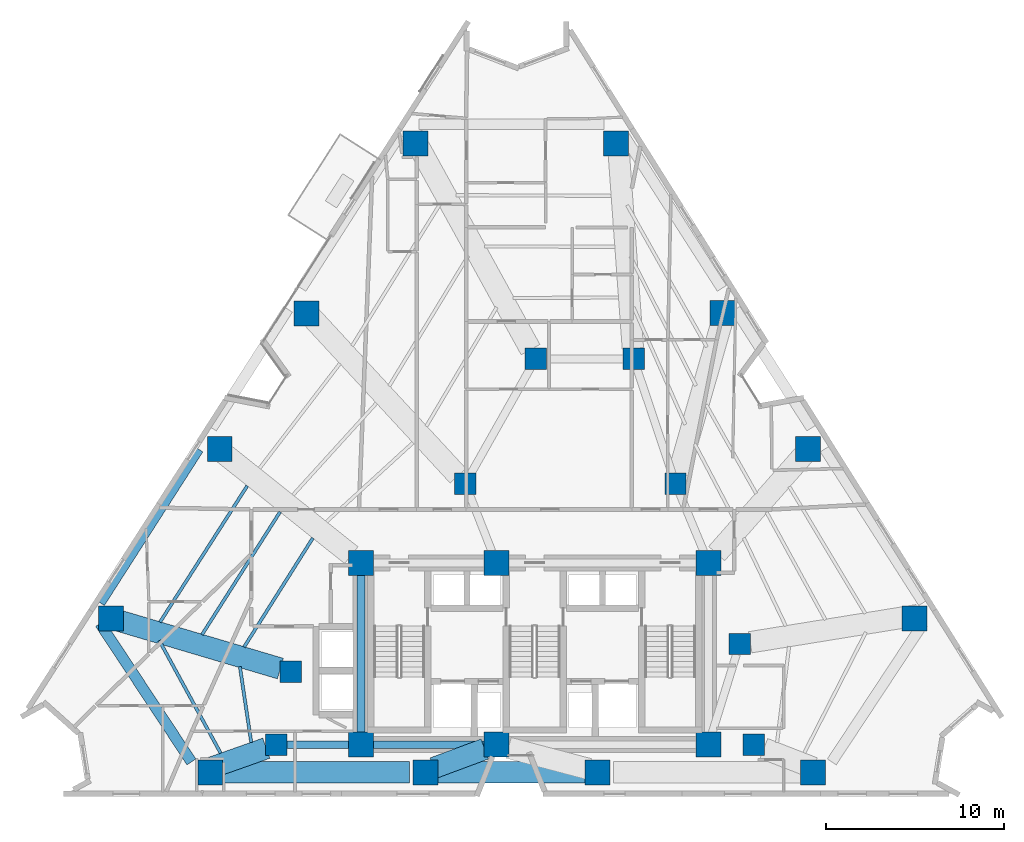
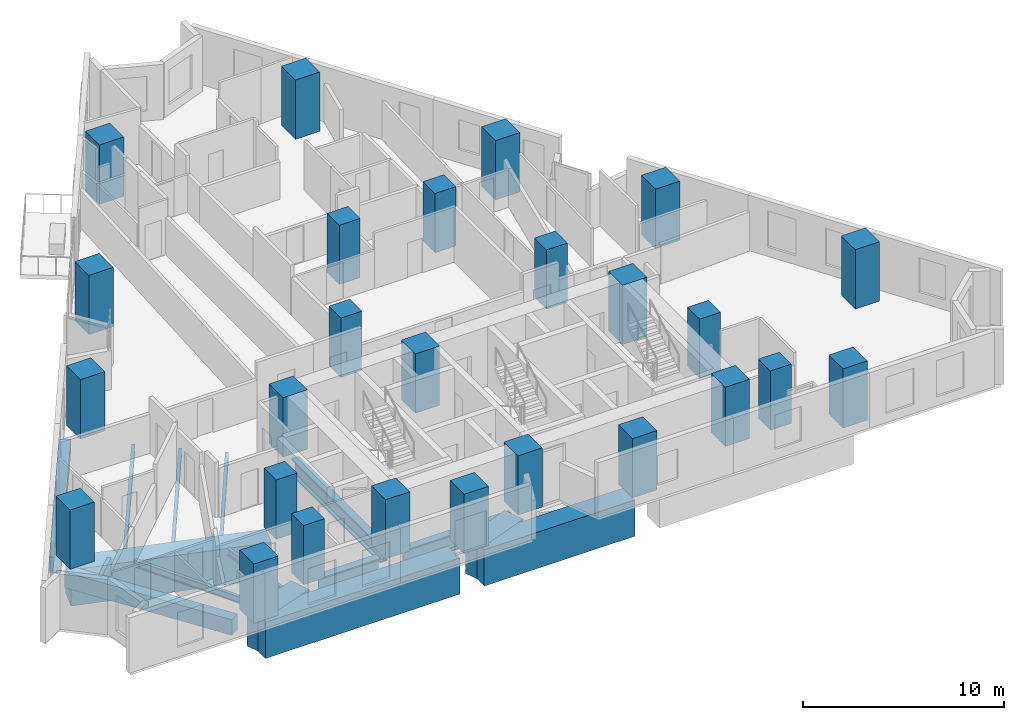
# One storey, part 1 of 13: 26 columns, 15 beams.
"""IFC4 building model written with IfcOpenShell, lengths in metres."""

from ifc_helpers import new_model, si_unit, direction, frame, origin, origin_2d, place, context, subcontext, project, spatial, rectangle, i_section, extrude, material, material_profile, profile_set, type_object, element, save


model = new_model("IFC4")

# Units and contexts
model_context = context("Model", 3, precision=1e-05, world=origin(), true_north=direction((0.0, 1.0)))
body_context = subcontext(model_context, "Body", "Model", "MODEL_VIEW")
ifc_project = project(units=[si_unit("LENGTHUNIT", "METRE"), si_unit("AREAUNIT", "SQUARE_METRE"), si_unit("VOLUMEUNIT", "CUBIC_METRE"), si_unit("PLANEANGLEUNIT", "RADIAN"), si_unit("MASSUNIT", "GRAM", prefix="KILO")], contexts=[model_context])

# Site, building, storey
site_placement = place(None, origin())
site = spatial("IfcSite", under=ifc_project, at=site_placement, CompositionType="ELEMENT")
building_placement = place(site_placement, origin())
building = spatial("IfcBuilding", under=site, at=building_placement, Name="Almagre Mirador Tower", CompositionType="ELEMENT")
storey_placement = place(building_placement, frame((0.0, 0.0, 53.39990234375)))
storey = spatial("IfcBuildingStorey", under=building, at=storey_placement, Name="L12", CompositionType="ELEMENT", Elevation=53.39990234375)

# Columns
ifc_material_1 = material(Name="Concrete C60/75", Category="concrete")
ifc_material_profile_1 = material_profile(ifc_material_1, rectangle(XDim=1.199951171875, YDim=1.199951171875, at=origin_2d()), Name="RC1200X1200")
ifc_profile_set_1 = profile_set([ifc_material_profile_1], Name="Concrete C60/75")
column_type_1 = type_object("IfcColumnType", Name="COL-RC1200", PredefinedType="COLUMN", material=ifc_profile_set_1)
for number, where, z_axis, x_axis, name in (
    (1, (22.800048828125, 4.550048828125, 0.0), (0.0, 0.0, 1.0), (1.0, 0.0, 0.0), "L12 interior transfer column MC1"),
    (2, (49.60009765625, 4.550048828125, 0.0), (0.0, 0.0, 1.0), (1.0, 0.0, 0.0), "L12 interior transfer column MC2"),
    (3, (48.800048828125, 10.199951171875, 0.0), (0.0, 0.0, 1.0), (1.0, 0.0, 0.0), "L12 interior transfer column MC3"),
    (4, (45.199951171875, 19.199951171875, 0.0), (0.0, 0.0, 1.0), (1.0, 0.0, 0.0), "L12 interior transfer column MC5"),
    (5, (42.85009765625, 26.199951171875, 0.0), (0.0, 0.0, 1.0), (1.0, 0.0, 0.0), "L12 interior transfer column MC6"),
    (6, (37.35009765625, 26.199951171875, 0.0), (0.0, 0.0, 1.0), (1.0, 0.0, 0.0), "L12 interior transfer column MC7"),
    (7, (33.39990234375, 19.199951171875, 0.0), (0.0, 0.0, 1.0), (1.0, 0.0, 0.0), "L12 interior transfer column MC8"),
    (8, (23.60009765625, 8.64990234375, 0.0), (0.0, 0.0, 1.0), (1.0, 0.0, 0.0), "L12 interior transfer column MC10"),
):
    element("IfcColumn", number, at=place(storey_placement, frame(where, z_axis=z_axis, x_axis=x_axis)), inside=storey, type_object=column_type_1, Name=name, PredefinedType="COLUMN", context=body_context, shape_type="SweptSolid", body=[
        extrude(rectangle(XDim=1.199951171875, YDim=1.199951171875, at=origin_2d()), origin(), (0.0, 0.0, 1.0), 3.60009765625),
    ])
ifc_material_2 = material(Name="Concrete C60/75", Category="concrete")
ifc_material_profile_2 = material_profile(ifc_material_2, rectangle(XDim=1.39990234375, YDim=1.39990234375, at=origin_2d()), Name="RC1400X1400")
ifc_profile_set_2 = profile_set([ifc_material_profile_2], Name="Concrete C60/75")
column_type_2 = type_object("IfcColumnType", Name="COL-RC1400", PredefinedType="COLUMN", material=ifc_profile_set_2)
for number, where, z_axis, x_axis, name in (
    (9, (27.550048828125, 4.550048828125, 0.0), (0.0, 0.0, 1.0), (1.0, 0.0, 0.0), "L12 core spine column CC1"),
    (10, (35.14990234375, 4.550048828125, 0.0), (0.0, 0.0, 1.0), (1.0, 0.0, 0.0), "L12 core spine column CC2"),
    (11, (47.050048828125, 4.550048828125, 0.0), (0.0, 0.0, 1.0), (1.0, 0.0, 0.0), "L12 core spine column CC3"),
    (12, (27.550048828125, 14.75, 0.0), (0.0, 0.0, 1.0), (1.0, 0.0, 0.0), "L12 core spine column CC4"),
    (13, (35.14990234375, 14.75, 0.0), (0.0, 0.0, 1.0), (1.0, 0.0, 0.0), "L12 core spine column CC5"),
    (14, (47.050048828125, 14.75, 0.0), (0.0, 0.0, 1.0), (1.0, 0.0, 0.0), "L12 core spine column CC6"),
    (15, (19.087890625, 3.0, 0.0), (0.0, 0.0, 1.0), (1.0, 0.0, 0.0), "L12 perimeter column PC01"),
    (16, (31.16796875, 3.0, 0.0), (0.0, 0.0, 1.0), (1.0, 0.0, 0.0), "L12 perimeter column PC02"),
    (17, (40.83203125, 3.0, 0.0), (0.0, 0.0, 1.0), (1.0, 0.0, 0.0), "L12 perimeter column PC03"),
    (18, (52.912109375, 3.0, 0.0), (0.0, 0.0, 1.0), (1.0, 0.0, 0.0), "L12 perimeter column PC04"),
    (19, (58.60595703125, 11.634033203125, 0.0), (0.0, 0.0, 1.0), (1.0, 0.0, 0.0), "L12 perimeter column PC05"),
    (20, (52.6259765625, 21.154052734375, 0.0), (0.0, 0.0, 1.0), (1.0, 0.0, 0.0), "L12 perimeter column PC06"),
    (21, (47.842041015625, 28.77001953125, 0.0), (0.0, 0.0, 1.0), (1.0, 0.0, 0.0), "L12 perimeter column PC07"),
    (22, (41.862060546875, 38.2900390625, 0.0), (0.0, 0.0, 1.0), (1.0, 0.0, 0.0), "L12 perimeter column PC08"),
    (23, (30.60009765625, 38.281005859375, 0.0), (0.0, 0.0, 1.0), (1.0, 0.0, 0.0), "L12 perimeter column PC09"),
    (24, (24.5, 28.760986328125, 0.0), (0.0, 0.0, 1.0), (1.0, 0.0, 0.0), "L12 perimeter column PC10"),
    (25, (19.6201171875, 21.14501953125, 0.0), (0.0, 0.0, 1.0), (1.0, 0.0, 0.0), "L12 perimeter column PC11"),
    (26, (13.52001953125, 11.625, 0.0), (0.0, 0.0, 1.0), (1.0, 0.0, 0.0), "L12 perimeter column PC12"),
):
    element("IfcColumn", number, at=place(storey_placement, frame(where, z_axis=z_axis, x_axis=x_axis)), inside=storey, type_object=column_type_2, Name=name, PredefinedType="COLUMN", context=body_context, shape_type="SweptSolid", body=[
        extrude(rectangle(XDim=1.39990234375, YDim=1.39990234375, at=origin_2d()), origin(), (0.0, 0.0, 1.0), 3.60009765625),
    ])

# Beams
ifc_material_3 = material(Name="Steel ASTM A992 Grade 50", Category="steel")
ifc_material_profile_3 = material_profile(ifc_material_3, i_section(OverallWidth=0.178955078125, OverallDepth=0.408935546875, WebThickness=0.0087890625, FlangeThickness=0.014404296875, FilletRadius=0.013916015625, at=origin_2d()), Name="W16X45")
ifc_profile_set_3 = profile_set([ifc_material_profile_3], Name="Steel ASTM A992 Grade 50")
beam_type_1 = type_object("IfcBeamType", Name="BM-JST-W16X45", PredefinedType="JOIST", material=ifc_profile_set_3)
beam_1_placement = place(storey_placement, frame((21.166015625, 19.080322265625, -0.454345703125), z_axis=(-0.538983577549, -0.842316272627, 0.0), x_axis=(0.842316272627, -0.538983577549, 0.0)))
element("IfcBeam", 27, at=beam_1_placement, inside=storey, type_object=beam_type_1, Name="L12 secondary floor joist PC11-PC12.1", PredefinedType="JOIST", context=body_context, shape_type="SweptSolid", body=[
    extrude(i_section(OverallWidth=0.178955078125, OverallDepth=0.408935546875, WebThickness=0.0087890625, FlangeThickness=0.014404296875, FilletRadius=0.013916015625, at=origin_2d()), origin(), (0.0, 0.0, 1.0), 9.090087890625),
])
beam_2_placement = place(storey_placement, frame((23.005126953125, 17.613037109375, -0.454345703125), z_axis=(-0.536575467377, -0.84385233768, 0.0), x_axis=(0.84385233768, -0.536575467377, 0.0)))
element("IfcBeam", 28, at=beam_2_placement, inside=storey, type_object=beam_type_1, Name="L12 secondary floor joist PC11-PC12.2", PredefinedType="JOIST", context=body_context, shape_type="SweptSolid", body=[
    extrude(i_section(OverallWidth=0.178955078125, OverallDepth=0.408935546875, WebThickness=0.0087890625, FlangeThickness=0.014404296875, FilletRadius=0.013916015625, at=origin_2d()), origin(), (0.0, 0.0, 1.0), 8.162109375),
])
beam_3_placement = place(storey_placement, frame((24.8447265625, 16.1455078125, -0.454345703125), z_axis=(-0.533606950697, -0.845732594954, 0.0), x_axis=(0.845732594954, -0.533606950697, 0.0)))
element("IfcBeam", 29, at=beam_3_placement, inside=storey, type_object=beam_type_1, Name="L12 secondary floor joist PC11-PC12.3", PredefinedType="JOIST", context=body_context, shape_type="SweptSolid", body=[
    extrude(i_section(OverallWidth=0.178955078125, OverallDepth=0.408935546875, WebThickness=0.0087890625, FlangeThickness=0.014404296875, FilletRadius=0.013916015625, at=origin_2d()), origin(), (0.0, 0.0, 1.0), 7.234375),
])
beam_4_placement = place(storey_placement, frame((16.230224609375, 10.3916015625, -0.454345703125), z_axis=(0.478447973331, -0.878115901698, 0.0), x_axis=(0.878115901698, 0.478447973331, 0.0)))
element("IfcBeam", 30, at=beam_4_placement, inside=storey, type_object=beam_type_1, Name="L12 secondary floor joist PC12-PC01.1", PredefinedType="JOIST", context=body_context, shape_type="SweptSolid", body=[
    extrude(i_section(OverallWidth=0.178955078125, OverallDepth=0.408935546875, WebThickness=0.0087890625, FlangeThickness=0.014404296875, FilletRadius=0.013916015625, at=origin_2d()), origin(), (0.0, 0.0, 1.0), 7.19580078125),
])
beam_5_placement = place(storey_placement, frame((20.752685546875, 8.92626953125, -0.454345703125), z_axis=(0.147740469411, -0.989026164314, 0.0), x_axis=(0.989026164314, 0.147740469411, 0.0)))
element("IfcBeam", 31, at=beam_5_placement, inside=storey, type_object=beam_type_1, Name="L12 secondary floor joist PC12-PC01.3", PredefinedType="JOIST", context=body_context, shape_type="SweptSolid", body=[
    extrude(i_section(OverallWidth=0.178955078125, OverallDepth=0.408935546875, WebThickness=0.0087890625, FlangeThickness=0.014404296875, FilletRadius=0.013916015625, at=origin_2d()), origin(), (0.0, 0.0, 1.0), 4.298095703125),
])
ifc_material_4 = material(Name="Precast concrete C50/60", Category="concrete")
ifc_material_profile_4 = material_profile(ifc_material_4, rectangle(XDim=0.60009765625, YDim=0.949951171875, at=origin_2d()), Name="RC600X950")
ifc_profile_set_4 = profile_set([ifc_material_profile_4], Name="Precast concrete C50/60")
beam_type_2 = type_object("IfcBeamType", Name="BM-SPN-RC600X950", PredefinedType="SPANDREL", material=ifc_profile_set_4)
beam_6_placement = place(storey_placement, frame((18.42041015625, 21.1435546875, -0.724853515625), z_axis=(-0.539549548581, -0.841953849463, 0.0), x_axis=(0.841953849463, -0.539549548581, 0.0)))
element("IfcBeam", 32, at=beam_6_placement, inside=storey, type_object=beam_type_2, Name="L12 perimeter spandrel beam PC11-PC12", PredefinedType="SPANDREL", context=body_context, shape_type="SweptSolid", body=[
    extrude(rectangle(XDim=0.60009765625, YDim=0.949951171875, at=origin_2d()), origin(), (0.0, 0.0, 1.0), 10.239501953125),
])
beam_7_placement = place(storey_placement, frame((12.90380859375, 11.348876953125, -0.724853515625), z_axis=(0.550976725149, -0.834520609898, 0.0), x_axis=(0.834520609898, 0.550976725149, 0.0)))
element("IfcBeam", 33, at=beam_7_placement, inside=storey, type_object=beam_type_2, Name="L12 perimeter spandrel beam PC12-PC01", PredefinedType="SPANDREL", context=body_context, shape_type="SweptSolid", body=[
    extrude(rectangle(XDim=0.60009765625, YDim=0.949951171875, at=origin_2d()), origin(), (0.0, 0.0, 1.0), 9.304443359375),
])
ifc_material_5 = material(Name="Steel ASTM A992 Grade 50", Category="steel")
ifc_material_profile_5 = material_profile(ifc_material_5, i_section(OverallWidth=0.43701171875, OverallDepth=1.010986328125, WebThickness=0.041015625, FlangeThickness=0.073974609375, FilletRadius=0.028076171875, at=origin_2d()), Name="W36X529")
ifc_profile_set_5 = profile_set([ifc_material_profile_5], Name="Steel ASTM A992 Grade 50")
beam_type_3 = type_object("IfcBeamType", Name="BM-STL-W36X529", PredefinedType="BEAM", material=ifc_profile_set_5)
beam_8_placement = place(storey_placement, frame((28.25, 4.550048828125, -0.75537109375), z_axis=(1.0, 0.0, 0.0), x_axis=(0.0, 1.0, 0.0)))
element("IfcBeam", 34, at=beam_8_placement, inside=storey, type_object=beam_type_3, Name="L12 core tie girder CC1-CC2", PredefinedType="BEAM", context=body_context, shape_type="SweptSolid", body=[
    extrude(i_section(OverallWidth=0.43701171875, OverallDepth=1.010986328125, WebThickness=0.041015625, FlangeThickness=0.073974609375, FilletRadius=0.028076171875, at=origin_2d()), origin(), (0.0, 0.0, 1.0), 6.199951171875),
])
beam_9_placement = place(storey_placement, frame((27.550048828125, 5.25, -0.75537109375), z_axis=(0.0, 1.0, 0.0), x_axis=(-1.0, 0.0, 0.0)))
element("IfcBeam", 35, at=beam_9_placement, inside=storey, type_object=beam_type_3, Name="L12 core tie girder CC1-CC4", PredefinedType="BEAM", context=body_context, shape_type="SweptSolid", body=[
    extrude(i_section(OverallWidth=0.43701171875, OverallDepth=1.010986328125, WebThickness=0.041015625, FlangeThickness=0.073974609375, FilletRadius=0.028076171875, at=origin_2d()), origin(), (0.0, 0.0, 1.0), 8.800048828125),
])
beam_10_placement = place(storey_placement, frame((23.39990234375, 4.550048828125, -0.75537109375), z_axis=(1.0, 0.0, 0.0), x_axis=(0.0, 1.0, 0.0)))
element("IfcBeam", 36, at=beam_10_placement, inside=storey, type_object=beam_type_3, Name="L12 core tie girder MC1-CC1", PredefinedType="BEAM", context=body_context, shape_type="SweptSolid", body=[
    extrude(i_section(OverallWidth=0.43701171875, OverallDepth=1.010986328125, WebThickness=0.041015625, FlangeThickness=0.073974609375, FilletRadius=0.028076171875, at=origin_2d()), origin(), (0.0, 0.0, 1.0), 3.4501953125),
])
ifc_material_6 = material(Name="Concrete C60/75", Category="concrete")
ifc_material_profile_6 = material_profile(ifc_material_6, rectangle(XDim=1.199951171875, YDim=2.199951171875, at=origin_2d()), Name="RC1200X2200")
ifc_profile_set_6 = profile_set([ifc_material_profile_6], Name="Concrete C60/75")
beam_type_4 = type_object("IfcBeamType", Name="BM-XFER-RC1200X2200", PredefinedType="BEAM", material=ifc_profile_set_6)
beam_11_placement = place(storey_placement, frame((19.115966796875, 3.0, -1.349853515625), z_axis=(1.0, 0.0, 0.0), x_axis=(0.0, 1.0, 0.0)))
element("IfcBeam", 37, at=beam_11_placement, inside=storey, type_object=beam_type_4, Name="L12 perimeter spandrel beam PC01-PC02", PredefinedType="BEAM", context=body_context, shape_type="SweptSolid", body=[
    extrude(rectangle(XDim=1.199951171875, YDim=2.199951171875, at=origin_2d()), origin(), (0.0, 0.0, 1.0), 11.159912109375),
])
beam_12_placement = place(storey_placement, frame((31.676025390625, 3.0, -1.349853515625), z_axis=(1.0, 0.0, 0.0), x_axis=(0.0, 1.0, 0.0)))
element("IfcBeam", 38, at=beam_12_placement, inside=storey, type_object=beam_type_4, Name="L12 perimeter spandrel beam PC02-PC03", PredefinedType="BEAM", context=body_context, shape_type="SweptSolid", body=[
    extrude(rectangle(XDim=1.199951171875, YDim=2.199951171875, at=origin_2d()), origin(), (0.0, 0.0, 1.0), 8.64794921875),
])
beam_13_placement = place(storey_placement, frame((19.075927734375, 3.2333984375, -1.349853515625), z_axis=(0.942807214234, 0.333338501809, 0.0), x_axis=(-0.333338501809, 0.942807214234, 0.0)))
element("IfcBeam", 39, at=beam_13_placement, inside=storey, type_object=beam_type_4, Name="L12 radial transfer girder PC01-MC1", PredefinedType="BEAM", context=body_context, shape_type="SweptSolid", body=[
    extrude(rectangle(XDim=1.199951171875, YDim=2.199951171875, at=origin_2d()), origin(), (0.0, 0.0, 1.0), 3.35009765625),
])
beam_14_placement = place(storey_placement, frame((31.632080078125, 3.24365234375, -1.349853515625), z_axis=(0.937448389948, 0.348124282669, 0.0), x_axis=(-0.348124282669, 0.937448389948, 0.0)))
element("IfcBeam", 40, at=beam_14_placement, inside=storey, type_object=beam_type_4, Name="L12 radial transfer girder PC02-CC2", PredefinedType="BEAM", context=body_context, shape_type="SweptSolid", body=[
    extrude(rectangle(XDim=1.199951171875, YDim=2.199951171875, at=origin_2d()), origin(), (0.0, 0.0, 1.0), 3.052734375),
])
beam_15_placement = place(storey_placement, frame((13.189208984375, 11.734130859375, -1.349853515625), z_axis=(0.958808436431, -0.284053484804, 0.0), x_axis=(0.284053484804, 0.958808436431, 0.0)))
element("IfcBeam", 41, at=beam_15_placement, inside=storey, type_object=beam_type_4, Name="L12 radial transfer girder PC12-MC10", PredefinedType="BEAM", context=body_context, shape_type="SweptSolid", body=[
    extrude(rectangle(XDim=1.199951171875, YDim=2.199951171875, at=origin_2d()), origin(), (0.0, 0.0, 1.0), 10.258056640625),
])

save(model, "model.ifc")
